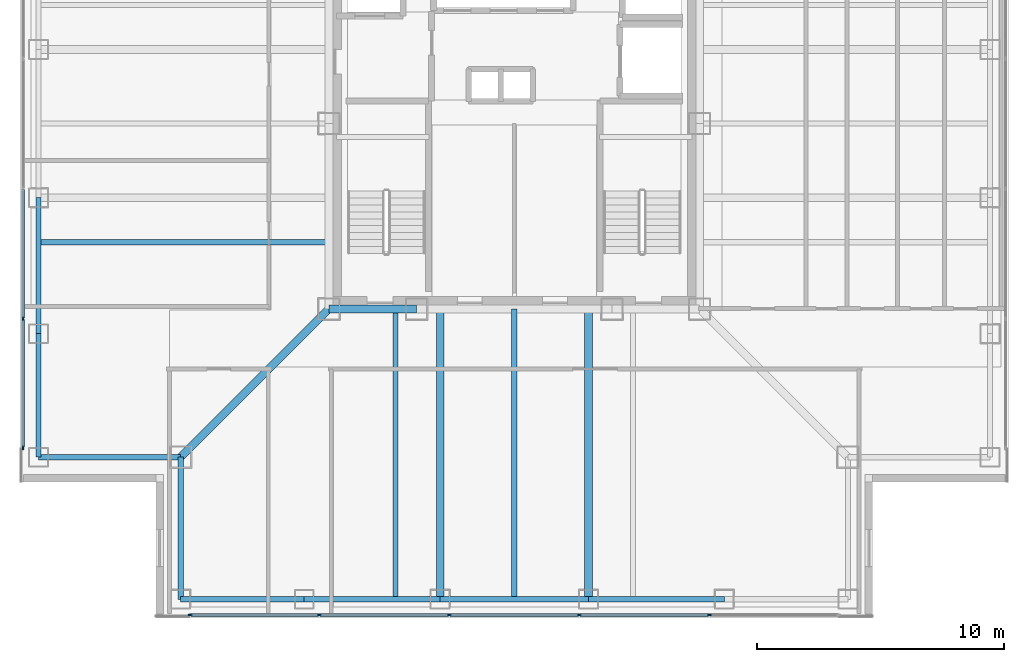
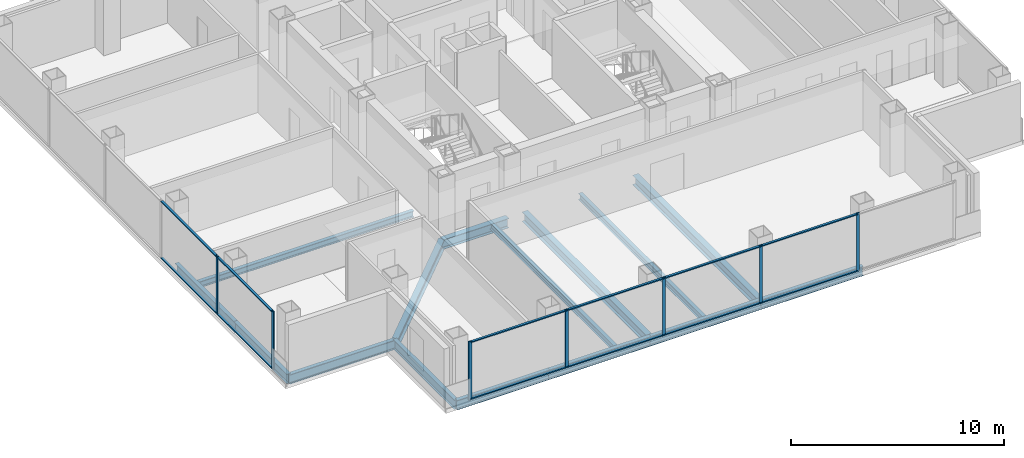
# One storey, part 2 of 17: 19 members, 15 beams, 2 elements without a shape of their own.
"""IFC4 building model written with IfcOpenShell, lengths in metres."""

import ifcopenshell
import ifcopenshell.guid

model = None  # the IFC model being written
_history = None  # IfcOwnerHistory: only IFC2X3 demands one
_inside = {}  # id of a spatial element -> (the spatial element, [elements in it])
_under = {}  # id of a project, library or spatial element -> (it, [spatial elements below it])
_declared = {}  # id of a project -> (the project, [libraries it declares])
_typed = {}  # id of a type object -> (the type object, [elements of that type])
_made_of = {}  # id of a material, layer set ... -> (it, [elements and type objects made of it])


def new_model(schema):
    """Start an empty IFC model of exactly this schema.

    Asked for "IFC4X3", IfcOpenShell would pick the latest addendum, in which some entities
    have other attributes; the version numbers below select the first issue.
    IFC2X3 requires an IfcOwnerHistory on every rooted entity: one is made here for all.
    """
    global model, _history
    if schema == "IFC4X3":
        model = ifcopenshell.file(schema_version=(4, 3, 0, 0))
    else:
        model = ifcopenshell.file(schema=schema)
    _inside.clear()
    _under.clear()
    _declared.clear()
    _typed.clear()
    _made_of.clear()
    _history = None
    if model.schema == "IFC2X3":
        org = make("IfcOrganization", Name="unknown")
        user = make(
            "IfcPersonAndOrganization",
            ThePerson=make("IfcPerson", FamilyName="unknown"),
            TheOrganization=org,
        )
        app = make(
            "IfcApplication",
            ApplicationDeveloper=org,
            Version="unknown",
            ApplicationFullName="unknown",
            ApplicationIdentifier="unknown",
        )
        _history = make(
            "IfcOwnerHistory",
            OwningUser=user,
            OwningApplication=app,
            ChangeAction="ADDED",
            CreationDate=0,
        )
    return model


def make(cls, **values):
    """One entity of the class cls with the attributes given. An attribute that is None is left unset."""
    return model.create_entity(
        cls, **{name: value for name, value in values.items() if value is not None}
    )


def rooted(cls, **values):
    """An entity with a GlobalId (a new one), such as an element, a storey or a relation."""
    return make(cls, GlobalId=ifcopenshell.guid.new(), OwnerHistory=_history, **values)


def si_unit(unit_type, name, prefix=None):
    """IfcSIUnit, for example si_unit("LENGTHUNIT", "METRE", prefix="MILLI")."""
    return make("IfcSIUnit", UnitType=unit_type, Prefix=prefix, Name=name)


def assignment(units):
    """IfcUnitAssignment: the units of a project."""
    return None if units is None else make("IfcUnitAssignment", Units=units)


def point(xyz):
    """IfcCartesianPoint."""
    return None if xyz is None else make("IfcCartesianPoint", Coordinates=xyz)


def direction(xyz):
    """IfcDirection."""
    return None if xyz is None else make("IfcDirection", DirectionRatios=xyz)


def frame(location, z_axis=None, x_axis=None):
    """IfcAxis2Placement3D, a coordinate frame: its origin and axes. An axis left out is left unset."""
    return make(
        "IfcAxis2Placement3D",
        Location=point(location),
        Axis=direction(z_axis),
        RefDirection=direction(x_axis),
    )


def frame_2d(location, x_axis=None):
    """IfcAxis2Placement2D, a coordinate frame in the plane: its origin and x axis."""
    return make(
        "IfcAxis2Placement2D", Location=point(location), RefDirection=direction(x_axis)
    )


def origin():
    """The frame at (0, 0, 0) with its axes left unset."""
    return frame((0.0, 0.0, 0.0))


def origin_2d():
    """The frame at (0, 0) in the plane with its x axis left unset."""
    return frame_2d((0.0, 0.0))


def place(relative_to, where):
    """IfcLocalPlacement: puts the frame where relative to a parent placement (None: the world)."""
    return make(
        "IfcLocalPlacement", PlacementRelTo=relative_to, RelativePlacement=where
    )


def context(
    kind, dimensions, precision=None, world=None, true_north=None, identifier=None
):
    """IfcGeometricRepresentationContext, for example the 3D "Model" context."""
    return make(
        "IfcGeometricRepresentationContext",
        ContextIdentifier=identifier,
        ContextType=kind,
        CoordinateSpaceDimension=dimensions,
        Precision=precision,
        WorldCoordinateSystem=world,
        TrueNorth=true_north,
    )


def subcontext(parent, identifier, kind, view, scale=None):
    """IfcGeometricRepresentationSubContext, for example "Body" below "Model"."""
    return make(
        "IfcGeometricRepresentationSubContext",
        ContextIdentifier=identifier,
        ContextType=kind,
        ParentContext=parent,
        TargetScale=scale,
        TargetView=view,
    )


def project(units=None, contexts=None):
    """IfcProject with its units and contexts."""
    return rooted(
        "IfcProject",
        Name="project",
        RepresentationContexts=contexts,
        UnitsInContext=assignment(units),
    )


def spatial(cls, under=None, at=None, **own):
    """A site, building, storey or space (cls), placed at a placement, below another one or the project."""
    s = rooted(cls, ObjectPlacement=at, **own)
    if under is not None:
        _under.setdefault(under.id(), (under, []))[1].append(s)
    return s


def profile(cls, at=None, kind="AREA", **sizes):
    """A parametric profile (cls). Its sizes go by their IFC names, for example OverallWidth=200.0."""
    return make(cls, ProfileType=kind, Position=at, **sizes)


def rectangle(**sizes):
    """IfcRectangleProfileDef."""
    return profile("IfcRectangleProfileDef", **sizes)


def i_section(**sizes):
    """IfcIShapeProfileDef."""
    return profile("IfcIShapeProfileDef", **sizes)


def extrude(swept, where, along, depth):
    """IfcExtrudedAreaSolid: the profile swept, set in the frame where, extruded along a direction by depth."""
    return make(
        "IfcExtrudedAreaSolid",
        SweptArea=swept,
        Position=where,
        ExtrudedDirection=direction(along),
        Depth=depth,
    )


def shape(context_of_items, identifier, shape_type, items):
    """IfcShapeRepresentation: the items that make up one representation, for example the "Body"."""
    return make(
        "IfcShapeRepresentation",
        ContextOfItems=context_of_items,
        RepresentationIdentifier=identifier,
        RepresentationType=shape_type,
        Items=items,
    )


def material(Name=None, Category=None):
    """IfcMaterial."""
    return make("IfcMaterial", Name=Name, Category=Category)


def layer(
    of_material, thickness, ventilated=None, Name=None, Category=None, Priority=None
):
    """IfcMaterialLayer: one layer of a wall or slab, of a material (None: an air gap)."""
    return make(
        "IfcMaterialLayer",
        Material=of_material,
        LayerThickness=thickness,
        IsVentilated=ventilated,
        Name=Name,
        Category=Category,
        Priority=Priority,
    )


def layer_set(layers, Name=None):
    """IfcMaterialLayerSet."""
    return make("IfcMaterialLayerSet", MaterialLayers=layers, LayerSetName=Name)


def material_profile(
    of_material, cross_section, Name=None, Category=None, Priority=None
):
    """IfcMaterialProfile: a cross section and its material."""
    return make(
        "IfcMaterialProfile",
        Name=Name,
        Material=of_material,
        Profile=cross_section,
        Priority=Priority,
        Category=Category,
    )


def profile_set(profiles, Name=None, composite=None):
    """IfcMaterialProfileSet."""
    return make(
        "IfcMaterialProfileSet",
        Name=Name,
        MaterialProfiles=profiles,
        CompositeProfile=composite,
    )


def made_of(thing, what):
    """Note that an element or type object is made of a material, layer set ...; save() writes the relation."""
    if what is not None:
        _made_of.setdefault(what.id(), (what, []))[1].append(thing)
    return thing


def type_object(cls, material=None, **own):
    """A type object (cls), such as IfcWallType, which elements share."""
    return made_of(rooted(cls, **own), material)


def element(
    cls,
    number,
    at=None,
    inside=None,
    cuts=None,
    type_object=None,
    material=None,
    context=None,
    identifier="Body",
    shape_type=None,
    held_by="IfcProductDefinitionShape",
    body=None,
    shapes=None,
    **own,
):
    """One element of the class cls, such as IfcWall. Its Tag is "e" and its number.

    at: its placement. inside: the storey or other place that contains it. cuts: it is an
    opening in that element (IfcRelVoidsElement). A single representation is given by context,
    identifier, shape_type and body (its items); several are given by shapes. held_by: the class
    of the entity that holds the representations. save() writes the other relations.
    """
    e = rooted(cls, Tag="e%d" % number, ObjectPlacement=at, **own)
    if body is not None:
        shapes = [shape(context, identifier, shape_type, body)]
    if shapes is not None:
        e.Representation = make(held_by, Representations=shapes)
    if inside is not None:
        _inside.setdefault(inside.id(), (inside, []))[1].append(e)
    if cuts is not None:
        rooted(
            "IfcRelVoidsElement", RelatingBuildingElement=cuts, RelatedOpeningElement=e
        )
    if type_object is not None:
        _typed.setdefault(type_object.id(), (type_object, []))[1].append(e)
    return made_of(e, material)


def aggregate(whole, parts):
    """IfcRelAggregates: a whole, such as a stair, and the parts it consists of."""
    return rooted("IfcRelAggregates", RelatingObject=whole, RelatedObjects=parts)


def save(model, path):
    """Write the relations noted so far, then the file.

    IfcRelAggregates (storeys below a building ...), IfcRelContainedInSpatialStructure (elements
    in a storey), IfcRelDefinesByType, IfcRelAssociatesMaterial and IfcRelDeclares: one each for
    every whole, place, type object, material and project.
    """
    for whole, parts in _under.values():
        aggregate(whole, parts)
    for where, things in _inside.values():
        rooted(
            "IfcRelContainedInSpatialStructure",
            RelatedElements=things,
            RelatingStructure=where,
        )
    for kind, things in _typed.values():
        rooted("IfcRelDefinesByType", RelatedObjects=things, RelatingType=kind)
    for what, things in _made_of.values():
        rooted("IfcRelAssociatesMaterial", RelatedObjects=things, RelatingMaterial=what)
    for by, libraries in _declared.values():
        rooted("IfcRelDeclares", RelatingContext=by, RelatedDefinitions=libraries)
    model.write(path)


model = new_model("IFC4")

# Units and contexts
model_context = context("Model", 3, precision=1e-05, world=origin(), true_north=direction((0.0, 1.0)))
body_context = subcontext(model_context, "Body", "Model", "MODEL_VIEW")
ifc_project = project(units=[si_unit("LENGTHUNIT", "METRE"), si_unit("AREAUNIT", "SQUARE_METRE"), si_unit("VOLUMEUNIT", "CUBIC_METRE"), si_unit("PLANEANGLEUNIT", "RADIAN"), si_unit("MASSUNIT", "GRAM", prefix="KILO")], contexts=[model_context])

# Site, building, storey
site_placement = place(None, origin())
site = spatial("IfcSite", under=ifc_project, at=site_placement, CompositionType="ELEMENT")
building_placement = place(site_placement, origin())
building = spatial("IfcBuilding", under=site, at=building_placement, Name="Trevonay Congress Spire", CompositionType="ELEMENT")
storey_placement = place(building_placement, frame((0.0, 0.0, 209.39990234375)))
storey = spatial("IfcBuildingStorey", under=building, at=storey_placement, Name="L54", CompositionType="ELEMENT", Elevation=209.39990234375)

# Beams
ifc_material_1 = material(Name="Steel ASTM A572 Grade 50", Category="steel")
ifc_material_profile_1 = material_profile(ifc_material_1, i_section(OverallWidth=0.31201171875, OverallDepth=0.54296875, WebThickness=0.0126953125, FlangeThickness=0.020263671875, FilletRadius=0.014892578125, at=origin_2d()), Name="W530x150")
ifc_profile_set_1 = profile_set([ifc_material_profile_1], Name="Steel ASTM A572 Grade 50")
beam_type_1 = type_object("IfcBeamType", Name="BM-GIRD-W530X150", PredefinedType="BEAM", material=ifc_profile_set_1)
beam_1_placement = place(storey_placement, frame((-7.5, -7.5, -0.511474609375), z_axis=(1.0, 0.0, 0.0), x_axis=(0.0, 1.0, 0.0)))
element("IfcBeam", 1, at=beam_1_placement, inside=storey, type_object=beam_type_1, Name="L54 structural beam BM-L54-CR-S1", PredefinedType="BEAM", context=body_context, shape_type="SweptSolid", body=[
    extrude(i_section(OverallWidth=0.31201171875, OverallDepth=0.54296875, WebThickness=0.0126953125, FlangeThickness=0.020263671875, FilletRadius=0.014892578125, at=origin_2d()), origin(), (0.0, 0.0, 1.0), 3.550048828125),
])
beam_2_placement = place(storey_placement, frame((-7.5, -7.5, -0.511474609375), z_axis=(-0.707106781187, -0.707106781187, 0.0), x_axis=(0.707106781187, -0.707106781187, 0.0)))
element("IfcBeam", 2, at=beam_2_placement, inside=storey, type_object=beam_type_1, Name="L54 structural beam BM-L54-CDSW", PredefinedType="BEAM", context=body_context, shape_type="SweptSolid", body=[
    extrude(i_section(OverallWidth=0.31201171875, OverallDepth=0.54296875, WebThickness=0.0126953125, FlangeThickness=0.020263671875, FilletRadius=0.014892578125, at=origin_2d()), origin(), (0.0, 0.0, 1.0), 8.4853515625),
])
for number, where, z_axis, x_axis, name in (
    (3, (-3.0, -7.5, -0.511474609375), (0.0, -1.0, 0.0), (1.0, 0.0, 0.0), "L54 structural beam BM-L54-GS-M"),
    (4, (3.0, -7.5, -0.511474609375), (0.0, -1.0, 0.0), (1.0, 0.0, 0.0), "L54 structural beam BM-L54-GS-P"),
):
    element("IfcBeam", number, at=place(storey_placement, frame(where, z_axis=z_axis, x_axis=x_axis)), inside=storey, type_object=beam_type_1, Name=name, PredefinedType="BEAM", context=body_context, shape_type="SweptSolid", body=[
        extrude(i_section(OverallWidth=0.31201171875, OverallDepth=0.54296875, WebThickness=0.0126953125, FlangeThickness=0.020263671875, FilletRadius=0.014892578125, at=origin_2d()), origin(), (0.0, 0.0, 1.0), 11.75),
    ])
ifc_material_profile_2 = material_profile(ifc_material_1, i_section(OverallWidth=0.2119140625, OverallDepth=0.5439453125, WebThickness=0.01318359375, FlangeThickness=0.021240234375, FilletRadius=0.014892578125, at=origin_2d()), Name="W530x123")
ifc_profile_set_2 = profile_set([ifc_material_profile_2], Name="Steel ASTM A572 Grade 50")
beam_type_2 = type_object("IfcBeamType", Name="BM-RING-W530X123", PredefinedType="BEAM", material=ifc_profile_set_2)
for number, where, z_axis, x_axis, name in (
    (5, (-13.5, -19.25, -0.511962890625), (1.0, 0.0, 0.0), (0.0, 1.0, 0.0), "L54 structural beam BM-L54-PS1"),
    (6, (-19.25, -13.5, -0.511962890625), (0.0, 1.0, 0.0), (-1.0, 0.0, 0.0), "L54 structural beam BM-L54-PW1"),
):
    element("IfcBeam", number, at=place(storey_placement, frame(where, z_axis=z_axis, x_axis=x_axis)), inside=storey, type_object=beam_type_2, Name=name, PredefinedType="BEAM", context=body_context, shape_type="SweptSolid", body=[
        extrude(i_section(OverallWidth=0.2119140625, OverallDepth=0.5439453125, WebThickness=0.01318359375, FlangeThickness=0.021240234375, FilletRadius=0.014892578125, at=origin_2d()), origin(), (0.0, 0.0, 1.0), 5.0),
    ])
for number, where, z_axis, x_axis, name in (
    (7, (-8.5, -19.25, -0.511962890625), (1.0, 0.0, 0.0), (0.0, 1.0, 0.0), "L54 structural beam BM-L54-PS2"),
    (8, (-19.25, -8.5, -0.511962890625), (0.0, 1.0, 0.0), (-1.0, 0.0, 0.0), "L54 structural beam BM-L54-PW2"),
):
    element("IfcBeam", number, at=place(storey_placement, frame(where, z_axis=z_axis, x_axis=x_axis)), inside=storey, type_object=beam_type_2, Name=name, PredefinedType="BEAM", context=body_context, shape_type="SweptSolid", body=[
        extrude(i_section(OverallWidth=0.2119140625, OverallDepth=0.5439453125, WebThickness=0.01318359375, FlangeThickness=0.021240234375, FilletRadius=0.014892578125, at=origin_2d()), origin(), (0.0, 0.0, 1.0), 5.5),
    ])
beam_3_placement = place(storey_placement, frame((-3.0, -19.25, -0.511962890625), z_axis=(1.0, 0.0, 0.0), x_axis=(0.0, 1.0, 0.0)))
element("IfcBeam", 9, at=beam_3_placement, inside=storey, type_object=beam_type_2, Name="L54 structural beam BM-L54-PS3", PredefinedType="BEAM", context=body_context, shape_type="SweptSolid", body=[
    extrude(i_section(OverallWidth=0.2119140625, OverallDepth=0.5439453125, WebThickness=0.01318359375, FlangeThickness=0.021240234375, FilletRadius=0.014892578125, at=origin_2d()), origin(), (0.0, 0.0, 1.0), 6.0),
])
beam_4_placement = place(storey_placement, frame((3.0, -19.25, -0.511962890625), z_axis=(1.0, 0.0, 0.0), x_axis=(0.0, 1.0, 0.0)))
element("IfcBeam", 10, at=beam_4_placement, inside=storey, type_object=beam_type_2, Name="L54 structural beam BM-L54-PS4", PredefinedType="BEAM", context=body_context, shape_type="SweptSolid", body=[
    extrude(i_section(OverallWidth=0.2119140625, OverallDepth=0.5439453125, WebThickness=0.01318359375, FlangeThickness=0.021240234375, FilletRadius=0.014892578125, at=origin_2d()), origin(), (0.0, 0.0, 1.0), 5.5),
])
for number, where, z_axis, x_axis, name in (
    (11, (-13.5, -19.25, -0.511962890625), (0.0, 1.0, 0.0), (-1.0, 0.0, 0.0), "L54 structural beam BM-L54-N1SW"),
    (12, (-19.25, -13.5, -0.511962890625), (1.0, 0.0, 0.0), (0.0, 1.0, 0.0), "L54 structural beam BM-L54-N2SW"),
):
    element("IfcBeam", number, at=place(storey_placement, frame(where, z_axis=z_axis, x_axis=x_axis)), inside=storey, type_object=beam_type_2, Name=name, PredefinedType="BEAM", context=body_context, shape_type="SweptSolid", body=[
        extrude(i_section(OverallWidth=0.2119140625, OverallDepth=0.5439453125, WebThickness=0.01318359375, FlangeThickness=0.021240234375, FilletRadius=0.014892578125, at=origin_2d()), origin(), (0.0, 0.0, 1.0), 5.75),
    ])

# Curtain wall, members
ifc_material_2 = material(Name="Pale Anodised Aluminium EN AW-6063-T6", Category="aluminium")
ifc_layer = layer(ifc_material_2, 0.169921875, Name="Pale Anodised Aluminium EN AW-6063-T6")
ifc_layer_set = layer_set([ifc_layer], Name="Pale Anodised Aluminium EN AW-6063-T6")
curtain_wall_type = type_object("IfcCurtainWallType", Name="CW-SYS04-CORP-PALE-METAL", PredefinedType="NOTDEFINED", material=ifc_layer_set)
curtain_wall_1_placement = place(storey_placement, origin())
curtain_wall_1 = element("IfcCurtainWall", 13, at=curtain_wall_1_placement, inside=storey, type_object=curtain_wall_type, Name="L54 S unitised curtain wall", PredefinedType="NOTDEFINED")
ifc_material_profile_3 = material_profile(ifc_material_2, rectangle(XDim=0.06005859375, YDim=0.159912109375, at=origin_2d()), Name="CW-MULLION-160-ALUMINIUM")
ifc_profile_set_3 = profile_set([ifc_material_profile_3], Name="Pale Anodised Aluminium EN AW-6063-T6")
member_type_1 = type_object("IfcMemberType", Name="CW-MULLION-160-ALUMINIUM", PredefinedType="MULLION", material=ifc_profile_set_3)
member_1_placement = place(storey_placement, frame((-13.1201171875, -19.8798828125, 0.0), z_axis=(0.0, 0.0, 1.0), x_axis=(0.0, 1.0, 0.0)))
member_1 = element("IfcMember", 14, at=member_1_placement, type_object=member_type_1, Name="CW04 mullion 1", PredefinedType="MULLION", context=body_context, shape_type="SweptSolid", body=[
    extrude(rectangle(XDim=0.06005859375, YDim=0.159912109375, at=origin_2d()), origin(), (0.0, 0.0, 1.0), 3.360107421875),
])
member_2_placement = place(storey_placement, frame((-7.889892578125, -19.8798828125, 0.0), z_axis=(0.0, 0.0, 1.0), x_axis=(0.0, 1.0, 0.0)))
member_2 = element("IfcMember", 15, at=member_2_placement, type_object=member_type_1, Name="CW04 mullion 2", PredefinedType="MULLION", context=body_context, shape_type="SweptSolid", body=[
    extrude(rectangle(XDim=0.06005859375, YDim=0.159912109375, at=origin_2d()), origin(), (0.0, 0.0, 1.0), 3.360107421875),
])
member_3_placement = place(storey_placement, frame((-2.6298828125, -19.8798828125, 0.0), z_axis=(0.0, 0.0, 1.0), x_axis=(0.0, 1.0, 0.0)))
member_3 = element("IfcMember", 16, at=member_3_placement, type_object=member_type_1, Name="CW04 mullion 3", PredefinedType="MULLION", context=body_context, shape_type="SweptSolid", body=[
    extrude(rectangle(XDim=0.06005859375, YDim=0.159912109375, at=origin_2d()), origin(), (0.0, 0.0, 1.0), 3.360107421875),
])
member_4_placement = place(storey_placement, frame((2.6298828125, -19.8798828125, 0.0), z_axis=(0.0, 0.0, 1.0), x_axis=(0.0, 1.0, 0.0)))
member_4 = element("IfcMember", 17, at=member_4_placement, type_object=member_type_1, Name="CW04 mullion 4", PredefinedType="MULLION", context=body_context, shape_type="SweptSolid", body=[
    extrude(rectangle(XDim=0.06005859375, YDim=0.159912109375, at=origin_2d()), origin(), (0.0, 0.0, 1.0), 3.360107421875),
])
member_5_placement = place(storey_placement, frame((7.889892578125, -19.8798828125, 0.0), z_axis=(0.0, 0.0, 1.0), x_axis=(0.0, 1.0, 0.0)))
member_5 = element("IfcMember", 18, at=member_5_placement, type_object=member_type_1, Name="CW04 mullion 5", PredefinedType="MULLION", context=body_context, shape_type="SweptSolid", body=[
    extrude(rectangle(XDim=0.06005859375, YDim=0.159912109375, at=origin_2d()), origin(), (0.0, 0.0, 1.0), 3.360107421875),
])

curtain_wall_2_placement = place(storey_placement, origin())
curtain_wall_2 = element("IfcCurtainWall", 19, at=curtain_wall_2_placement, inside=storey, type_object=curtain_wall_type, Name="L54 W unitised curtain wall", PredefinedType="NOTDEFINED")
member_6_placement = place(storey_placement, frame((-19.8798828125, -13.1201171875, 0.0), z_axis=(0.0, 0.0, 1.0), x_axis=(-1.0, 0.0, 0.0)))
member_6 = element("IfcMember", 20, at=member_6_placement, type_object=member_type_1, Name="CW04 mullion 1", PredefinedType="MULLION", context=body_context, shape_type="SweptSolid", body=[
    extrude(rectangle(XDim=0.06005859375, YDim=0.159912109375, at=origin_2d()), origin(), (0.0, 0.0, 1.0), 3.360107421875),
])
member_7_placement = place(storey_placement, frame((-19.8798828125, -7.889892578125, 0.0), z_axis=(0.0, 0.0, 1.0), x_axis=(-1.0, 0.0, 0.0)))
member_7 = element("IfcMember", 21, at=member_7_placement, type_object=member_type_1, Name="CW04 mullion 2", PredefinedType="MULLION", context=body_context, shape_type="SweptSolid", body=[
    extrude(rectangle(XDim=0.06005859375, YDim=0.159912109375, at=origin_2d()), origin(), (0.0, 0.0, 1.0), 3.360107421875),
])

# Member
ifc_material_profile_4 = material_profile(ifc_material_2, rectangle(XDim=0.1201171875, YDim=0.06005859375, at=origin_2d()), Name="CW-TRANSOM-120-ALUMINIUM")
ifc_profile_set_4 = profile_set([ifc_material_profile_4], Name="Pale Anodised Aluminium EN AW-6063-T6")
member_type_2 = type_object("IfcMemberType", Name="CW-TRANSOM-120-ALUMINIUM", PredefinedType="USERDEFINED", material=ifc_profile_set_4)
member_8_placement = place(storey_placement, frame((-13.090087890625, -19.8798828125, 0.06005859375), z_axis=(1.0, 0.0, 0.0), x_axis=(0.0, 1.0, 0.0)))
member_8 = element("IfcMember", 22, at=member_8_placement, type_object=member_type_2, Name="CW04 transom 1.1", ObjectType="TRANSOM", PredefinedType="USERDEFINED", context=body_context, shape_type="SweptSolid", body=[
    extrude(rectangle(XDim=0.1201171875, YDim=0.06005859375, at=origin_2d()), origin(), (0.0, 0.0, 1.0), 5.170166015625),
])

member_9_placement = place(storey_placement, frame((-13.090087890625, -19.8798828125, 3.300048828125), z_axis=(1.0, 0.0, 0.0), x_axis=(0.0, 1.0, 0.0)))
member_9 = element("IfcMember", 23, at=member_9_placement, type_object=member_type_2, Name="CW04 transom 1.2", ObjectType="TRANSOM", PredefinedType="USERDEFINED", context=body_context, shape_type="SweptSolid", body=[
    extrude(rectangle(XDim=0.1201171875, YDim=0.06005859375, at=origin_2d()), origin(), (0.0, 0.0, 1.0), 5.170166015625),
])

member_10_placement = place(storey_placement, frame((-7.860107421875, -19.8798828125, 0.06005859375), z_axis=(1.0, 0.0, 0.0), x_axis=(0.0, 1.0, 0.0)))
member_10 = element("IfcMember", 24, at=member_10_placement, type_object=member_type_2, Name="CW04 transom 2.1", ObjectType="TRANSOM", PredefinedType="USERDEFINED", context=body_context, shape_type="SweptSolid", body=[
    extrude(rectangle(XDim=0.1201171875, YDim=0.06005859375, at=origin_2d()), origin(), (0.0, 0.0, 1.0), 5.2001953125),
])

member_11_placement = place(storey_placement, frame((-7.860107421875, -19.8798828125, 3.300048828125), z_axis=(1.0, 0.0, 0.0), x_axis=(0.0, 1.0, 0.0)))
member_11 = element("IfcMember", 25, at=member_11_placement, type_object=member_type_2, Name="CW04 transom 2.2", ObjectType="TRANSOM", PredefinedType="USERDEFINED", context=body_context, shape_type="SweptSolid", body=[
    extrude(rectangle(XDim=0.1201171875, YDim=0.06005859375, at=origin_2d()), origin(), (0.0, 0.0, 1.0), 5.2001953125),
])

member_12_placement = place(storey_placement, frame((-2.60009765625, -19.8798828125, 0.06005859375), z_axis=(1.0, 0.0, 0.0), x_axis=(0.0, 1.0, 0.0)))
member_12 = element("IfcMember", 26, at=member_12_placement, type_object=member_type_2, Name="CW04 transom 3.1", ObjectType="TRANSOM", PredefinedType="USERDEFINED", context=body_context, shape_type="SweptSolid", body=[
    extrude(rectangle(XDim=0.1201171875, YDim=0.06005859375, at=origin_2d()), origin(), (0.0, 0.0, 1.0), 5.2001953125),
])

member_13_placement = place(storey_placement, frame((-2.60009765625, -19.8798828125, 3.300048828125), z_axis=(1.0, 0.0, 0.0), x_axis=(0.0, 1.0, 0.0)))
member_13 = element("IfcMember", 27, at=member_13_placement, type_object=member_type_2, Name="CW04 transom 3.2", ObjectType="TRANSOM", PredefinedType="USERDEFINED", context=body_context, shape_type="SweptSolid", body=[
    extrude(rectangle(XDim=0.1201171875, YDim=0.06005859375, at=origin_2d()), origin(), (0.0, 0.0, 1.0), 5.2001953125),
])

member_14_placement = place(storey_placement, frame((2.659912109375, -19.8798828125, 0.06005859375), z_axis=(1.0, 0.0, 0.0), x_axis=(0.0, 1.0, 0.0)))
member_14 = element("IfcMember", 28, at=member_14_placement, type_object=member_type_2, Name="CW04 transom 4.1", ObjectType="TRANSOM", PredefinedType="USERDEFINED", context=body_context, shape_type="SweptSolid", body=[
    extrude(rectangle(XDim=0.1201171875, YDim=0.06005859375, at=origin_2d()), origin(), (0.0, 0.0, 1.0), 5.2001953125),
])

member_15_placement = place(storey_placement, frame((2.659912109375, -19.8798828125, 3.300048828125), z_axis=(1.0, 0.0, 0.0), x_axis=(0.0, 1.0, 0.0)))
member_15 = element("IfcMember", 29, at=member_15_placement, type_object=member_type_2, Name="CW04 transom 4.2", ObjectType="TRANSOM", PredefinedType="USERDEFINED", context=body_context, shape_type="SweptSolid", body=[
    extrude(rectangle(XDim=0.1201171875, YDim=0.06005859375, at=origin_2d()), origin(), (0.0, 0.0, 1.0), 5.2001953125),
])

aggregate(curtain_wall_1, [member_1, member_2, member_3, member_4, member_5, member_8, member_9, member_10, member_11, member_12, member_13, member_14, member_15])

member_16_placement = place(storey_placement, frame((-19.8798828125, -13.090087890625, 0.06005859375), z_axis=(0.0, 1.0, 0.0), x_axis=(-1.0, 0.0, 0.0)))
member_16 = element("IfcMember", 30, at=member_16_placement, type_object=member_type_2, Name="CW04 transom 1.1", ObjectType="TRANSOM", PredefinedType="USERDEFINED", context=body_context, shape_type="SweptSolid", body=[
    extrude(rectangle(XDim=0.1201171875, YDim=0.06005859375, at=origin_2d()), origin(), (0.0, 0.0, 1.0), 5.170166015625),
])

member_17_placement = place(storey_placement, frame((-19.8798828125, -13.090087890625, 3.300048828125), z_axis=(0.0, 1.0, 0.0), x_axis=(-1.0, 0.0, 0.0)))
member_17 = element("IfcMember", 31, at=member_17_placement, type_object=member_type_2, Name="CW04 transom 1.2", ObjectType="TRANSOM", PredefinedType="USERDEFINED", context=body_context, shape_type="SweptSolid", body=[
    extrude(rectangle(XDim=0.1201171875, YDim=0.06005859375, at=origin_2d()), origin(), (0.0, 0.0, 1.0), 5.170166015625),
])

member_18_placement = place(storey_placement, frame((-19.8798828125, -7.860107421875, 0.06005859375), z_axis=(0.0, 1.0, 0.0), x_axis=(-1.0, 0.0, 0.0)))
member_18 = element("IfcMember", 32, at=member_18_placement, type_object=member_type_2, Name="CW04 transom 2.1", ObjectType="TRANSOM", PredefinedType="USERDEFINED", context=body_context, shape_type="SweptSolid", body=[
    extrude(rectangle(XDim=0.1201171875, YDim=0.06005859375, at=origin_2d()), origin(), (0.0, 0.0, 1.0), 5.2001953125),
])

member_19_placement = place(storey_placement, frame((-19.8798828125, -7.860107421875, 3.300048828125), z_axis=(0.0, 1.0, 0.0), x_axis=(-1.0, 0.0, 0.0)))
member_19 = element("IfcMember", 33, at=member_19_placement, type_object=member_type_2, Name="CW04 transom 2.2", ObjectType="TRANSOM", PredefinedType="USERDEFINED", context=body_context, shape_type="SweptSolid", body=[
    extrude(rectangle(XDim=0.1201171875, YDim=0.06005859375, at=origin_2d()), origin(), (0.0, 0.0, 1.0), 5.2001953125),
])

aggregate(curtain_wall_2, [member_6, member_7, member_16, member_17, member_18, member_19])

# Beams
ifc_material_profile_5 = material_profile(ifc_material_1, i_section(OverallWidth=0.205078125, OverallDepth=0.35400390625, WebThickness=0.009521484375, FlangeThickness=0.016845703125, FilletRadius=0.011962890625, at=origin_2d()), Name="W360x79")
ifc_profile_set_5 = profile_set([ifc_material_profile_5], Name="Steel ASTM A572 Grade 50")
beam_type_3 = type_object("IfcBeamType", Name="JS-COMP-W360X79", PredefinedType="JOIST", material=ifc_profile_set_5)
for number, where, z_axis, x_axis, name in (
    (34, (-4.800048828125, -19.25, -0.4169921875), (0.0, 1.0, 0.0), (-1.0, 0.0, 0.0), "L54 structural beam JS-L54-NS-S1"),
    (35, (-19.25, -4.800048828125, -0.4169921875), (1.0, 0.0, 0.0), (0.0, 1.0, 0.0), "L54 structural beam JS-L54-EW-W1"),
    (36, (0.0, -19.25, -0.4169921875), (0.0, 1.0, 0.0), (-1.0, 0.0, 0.0), "L54 structural beam JS-L54-NS-S2"),
):
    element("IfcBeam", number, at=place(storey_placement, frame(where, z_axis=z_axis, x_axis=x_axis)), inside=storey, type_object=beam_type_3, Name=name, PredefinedType="JOIST", context=body_context, shape_type="SweptSolid", body=[
        extrude(i_section(OverallWidth=0.205078125, OverallDepth=0.35400390625, WebThickness=0.009521484375, FlangeThickness=0.016845703125, FilletRadius=0.011962890625, at=origin_2d()), origin(), (0.0, 0.0, 1.0), 11.75),
    ])

save(model, "model.ifc")
